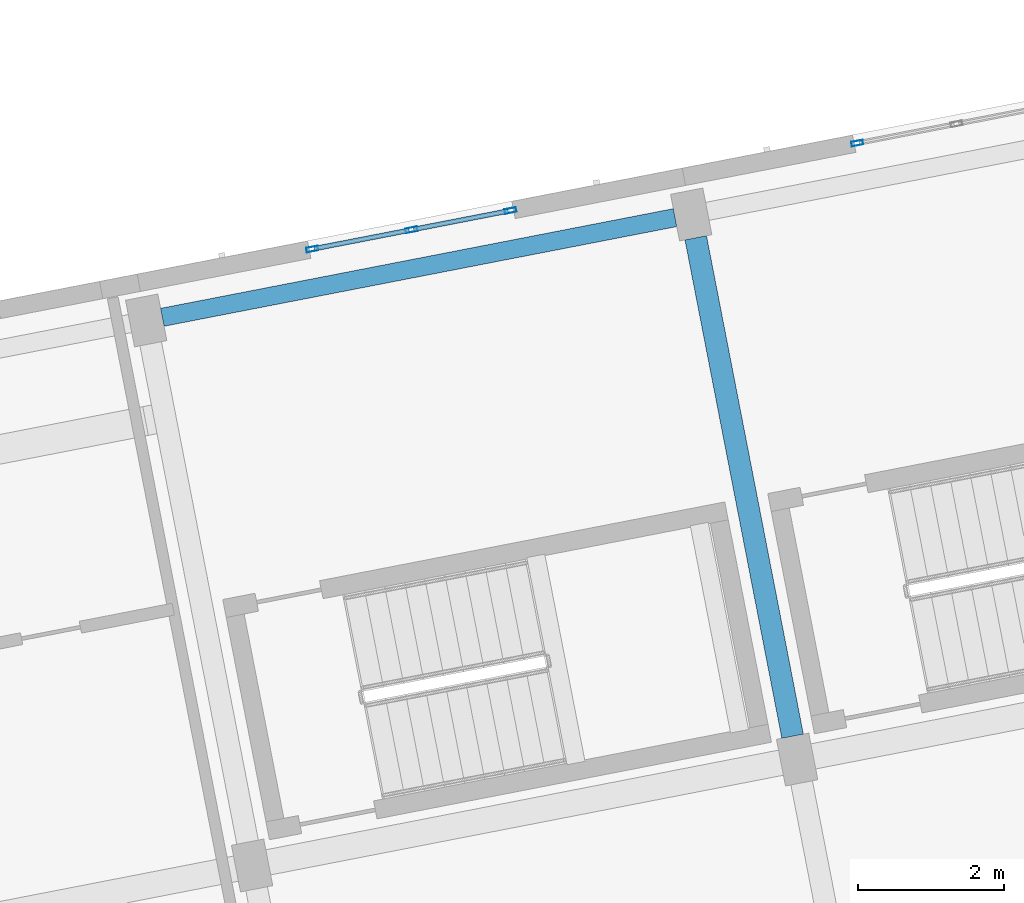
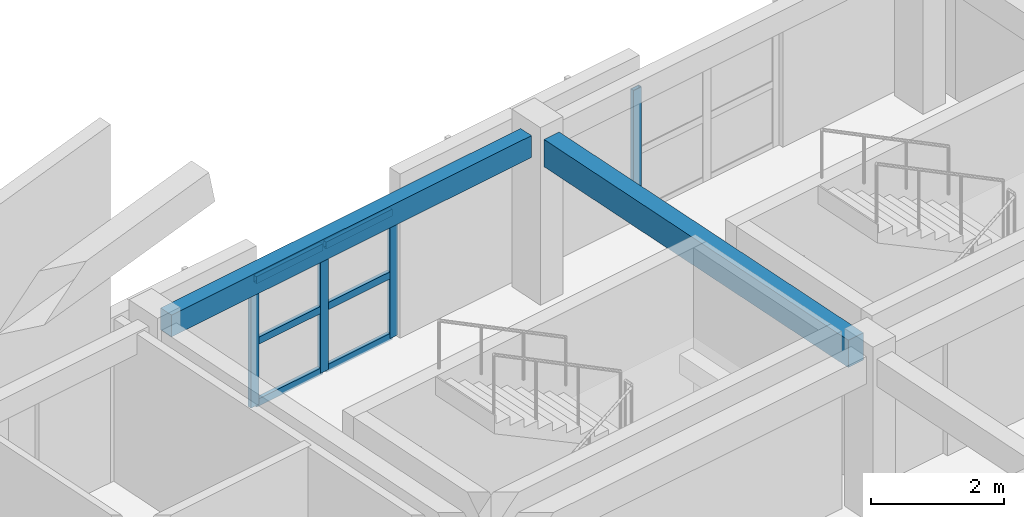
# One storey, part 10 of 64: 10 members, 2 beams, 2 elements without a shape of their own.
"""IFC4 building model written with IfcOpenShell, lengths in metres."""

from ifc_helpers import new_model, si_unit, direction, frame, origin, origin_2d, place, context, subcontext, project, spatial, rectangle, hollow_rectangle, extrude, material, material_profile, profile_set, type_object, element, aggregate, save


model = new_model("IFC4")

# Units and contexts
model_context = context("Model", 3, precision=1e-05, world=origin(), true_north=direction((0.0, 1.0)))
body_context = subcontext(model_context, "Body", "Model", "MODEL_VIEW")
ifc_project = project(units=[si_unit("LENGTHUNIT", "METRE"), si_unit("AREAUNIT", "SQUARE_METRE"), si_unit("VOLUMEUNIT", "CUBIC_METRE"), si_unit("PLANEANGLEUNIT", "RADIAN"), si_unit("MASSUNIT", "GRAM", prefix="KILO")], contexts=[model_context])

# Site, building, storey
site_placement = place(None, origin())
site = spatial("IfcSite", under=ifc_project, at=site_placement, CompositionType="ELEMENT")
building_placement = place(site_placement, origin())
building = spatial("IfcBuilding", under=site, at=building_placement, Name="Kestramere Prow Commons", CompositionType="ELEMENT")
storey_placement = place(building_placement, frame((0.0, 0.0, 24.64990234375)))
storey = spatial("IfcBuildingStorey", under=building, at=storey_placement, Name="L07", CompositionType="ELEMENT", Elevation=24.64990234375)

# Beam
ifc_material_1 = material(Name="Precast concrete C40/50", Category="concrete")
ifc_material_profile_1 = material_profile(ifc_material_1, rectangle(XDim=0.300048828125, YDim=0.5, at=origin_2d()), Name="PC-BM 300x500")
ifc_profile_set_1 = profile_set([ifc_material_profile_1], Name="Precast concrete C40/50")
beam_type_1 = type_object("IfcBeamType", Name="BM-TIE-01 PC-BM 300x500", PredefinedType="BEAM", material=ifc_profile_set_1)
beam_1_placement = place(storey_placement, frame((145.8896484375, 51.899169921875, 2.75), z_axis=(-0.190783155939, 0.981632205773, 0.0), x_axis=(-0.981632205773, -0.190783155939, 0.0)))
element("IfcBeam", 1, at=beam_1_placement, inside=storey, type_object=beam_type_1, Name="Block D L07 Transverse Beam 5-3", PredefinedType="BEAM", context=body_context, shape_type="SweptSolid", body=[
    extrude(rectangle(XDim=0.300048828125, YDim=0.5, at=origin_2d()), origin(), (0.0, 0.0, 1.0), 6.949951171875),
])

# Curtain wall, members
ifc_material_2 = material(Name="Anodised Aluminium and Low-E Glass", Category="aluminium")
curtain_wall_type = type_object("IfcCurtainWallType", Name="CW-03 Glazed Curtain Wall 2830x2320", PredefinedType="USERDEFINED", material=ifc_material_2)
curtain_wall_1_placement = place(storey_placement, origin())
curtain_wall_1 = element("IfcCurtainWall", 2, at=curtain_wall_1_placement, inside=storey, type_object=curtain_wall_type, Name="Block D L07 Stairwell Vertical Glazing 4", ObjectType="GLAZED CURTAIN WALL", PredefinedType="USERDEFINED")
ifc_material_3 = material(Name="Anodised Aluminium 6063-T6", Category="aluminium")
ifc_material_profile_2 = material_profile(ifc_material_3, hollow_rectangle(XDim=0.06494140625, YDim=0.159912109375, WallThickness=0.00390625, at=origin_2d()), Name="ALU-MUL 65x160")
ifc_profile_set_2 = profile_set([ifc_material_profile_2], Name="Anodised Aluminium 6063-T6")
member_type_1 = type_object("IfcMemberType", Name="CW-MUL-65x160", PredefinedType="MULLION", material=ifc_profile_set_2)
member_1_placement = place(storey_placement, frame((139.314208984375, 58.56689453125, 0.0), z_axis=(0.0, 0.0, 1.0), x_axis=(-0.190808835118, 0.981627214599, 0.0)))
member_1 = element("IfcMember", 3, at=member_1_placement, type_object=member_type_1, Name="CW-03 mullion 1", PredefinedType="MULLION", context=body_context, shape_type="SweptSolid", body=[
    extrude(hollow_rectangle(XDim=0.06494140625, YDim=0.159912109375, WallThickness=0.00390625, at=origin_2d()), origin(), (0.0, 0.0, 1.0), 2.320068359375),
])
member_2_placement = place(storey_placement, frame((140.671142578125, 58.830810546875, 0.0), z_axis=(0.0, 0.0, 1.0), x_axis=(-0.190808835118, 0.981627214599, 0.0)))
member_2 = element("IfcMember", 4, at=member_2_placement, type_object=member_type_1, Name="CW-03 mullion 2", PredefinedType="MULLION", context=body_context, shape_type="SweptSolid", body=[
    extrude(hollow_rectangle(XDim=0.06494140625, YDim=0.159912109375, WallThickness=0.00390625, at=origin_2d()), origin(), (0.0, 0.0, 1.0), 2.320068359375),
])
member_3_placement = place(storey_placement, frame((142.0283203125, 59.094482421875, 0.0), z_axis=(0.0, 0.0, 1.0), x_axis=(-0.190808835118, 0.981627214599, 0.0)))
member_3 = element("IfcMember", 5, at=member_3_placement, type_object=member_type_1, Name="CW-03 mullion 3", PredefinedType="MULLION", context=body_context, shape_type="SweptSolid", body=[
    extrude(hollow_rectangle(XDim=0.06494140625, YDim=0.159912109375, WallThickness=0.00390625, at=origin_2d()), origin(), (0.0, 0.0, 1.0), 2.320068359375),
])

# Curtain wall, member
curtain_wall_2_placement = place(storey_placement, origin())
curtain_wall_2 = element("IfcCurtainWall", 6, at=curtain_wall_2_placement, inside=storey, type_object=curtain_wall_type, Name="Block D L07 Stairwell Vertical Glazing 5", ObjectType="GLAZED CURTAIN WALL", PredefinedType="USERDEFINED")
member_4_placement = place(storey_placement, frame((146.7744140625, 60.01708984375, 0.0), z_axis=(0.0, 0.0, 1.0), x_axis=(-0.190808835118, 0.981627214599, 0.0)))
member_4 = element("IfcMember", 7, at=member_4_placement, type_object=member_type_1, Name="CW-03 mullion 1", PredefinedType="MULLION", context=body_context, shape_type="SweptSolid", body=[
    extrude(hollow_rectangle(XDim=0.06494140625, YDim=0.159912109375, WallThickness=0.00390625, at=origin_2d()), origin(), (0.0, 0.0, 1.0), 2.320068359375),
])
aggregate(curtain_wall_2, [member_4])

# Member
ifc_material_profile_3 = material_profile(ifc_material_3, hollow_rectangle(XDim=0.06494140625, YDim=0.1298828125, WallThickness=0.00390625, at=origin_2d()), Name="ALU-TRN 65x130")
ifc_profile_set_3 = profile_set([ifc_material_profile_3], Name="Anodised Aluminium 6063-T6")
member_type_2 = type_object("IfcMemberType", Name="CW-TRN-65x130", PredefinedType="USERDEFINED", material=ifc_profile_set_3)
member_5_placement = place(storey_placement, frame((139.345947265625, 58.5732421875, 0.03271484375), z_axis=(0.981655869186, 0.190661360776, 0.0), x_axis=(-0.190661360776, 0.981655869186, 0.0)))
member_5 = element("IfcMember", 8, at=member_5_placement, type_object=member_type_2, Name="CW-03 transom 1.1", ObjectType="TRANSOM", PredefinedType="USERDEFINED", context=body_context, shape_type="SweptSolid", body=[
    extrude(hollow_rectangle(XDim=0.06494140625, YDim=0.1298828125, WallThickness=0.00390625, at=origin_2d()), origin(), (0.0, 0.0, 1.0), 1.317626953125),
])

member_6_placement = place(storey_placement, frame((139.345947265625, 58.5732421875, 1.16015625), z_axis=(0.981655869186, 0.190661360776, 0.0), x_axis=(-0.190661360776, 0.981655869186, 0.0)))
member_6 = element("IfcMember", 9, at=member_6_placement, type_object=member_type_2, Name="CW-03 transom 1.2", ObjectType="TRANSOM", PredefinedType="USERDEFINED", context=body_context, shape_type="SweptSolid", body=[
    extrude(hollow_rectangle(XDim=0.06494140625, YDim=0.1298828125, WallThickness=0.00390625, at=origin_2d()), origin(), (0.0, 0.0, 1.0), 1.317626953125),
])

member_7_placement = place(storey_placement, frame((139.345947265625, 58.5732421875, 2.28759765625), z_axis=(0.981655869186, 0.190661360776, 0.0), x_axis=(-0.190661360776, 0.981655869186, 0.0)))
member_7 = element("IfcMember", 10, at=member_7_placement, type_object=member_type_2, Name="CW-03 transom 1.3", ObjectType="TRANSOM", PredefinedType="USERDEFINED", context=body_context, shape_type="SweptSolid", body=[
    extrude(hollow_rectangle(XDim=0.06494140625, YDim=0.1298828125, WallThickness=0.00390625, at=origin_2d()), origin(), (0.0, 0.0, 1.0), 1.317626953125),
])

member_8_placement = place(storey_placement, frame((140.703125, 58.8369140625, 0.03271484375), z_axis=(0.981614425191, 0.190874619208, 0.0), x_axis=(-0.190874619208, 0.981614425191, 0.0)))
member_8 = element("IfcMember", 11, at=member_8_placement, type_object=member_type_2, Name="CW-03 transom 2.1", ObjectType="TRANSOM", PredefinedType="USERDEFINED", context=body_context, shape_type="SweptSolid", body=[
    extrude(hollow_rectangle(XDim=0.06494140625, YDim=0.1298828125, WallThickness=0.00390625, at=origin_2d()), origin(), (0.0, 0.0, 1.0), 1.3173828125),
])

member_9_placement = place(storey_placement, frame((140.703125, 58.8369140625, 1.16015625), z_axis=(0.981614425191, 0.190874619208, 0.0), x_axis=(-0.190874619208, 0.981614425191, 0.0)))
member_9 = element("IfcMember", 12, at=member_9_placement, type_object=member_type_2, Name="CW-03 transom 2.2", ObjectType="TRANSOM", PredefinedType="USERDEFINED", context=body_context, shape_type="SweptSolid", body=[
    extrude(hollow_rectangle(XDim=0.06494140625, YDim=0.1298828125, WallThickness=0.00390625, at=origin_2d()), origin(), (0.0, 0.0, 1.0), 1.3173828125),
])

member_10_placement = place(storey_placement, frame((140.703125, 58.8369140625, 2.28759765625), z_axis=(0.981614425191, 0.190874619208, 0.0), x_axis=(-0.190874619208, 0.981614425191, 0.0)))
member_10 = element("IfcMember", 13, at=member_10_placement, type_object=member_type_2, Name="CW-03 transom 2.3", ObjectType="TRANSOM", PredefinedType="USERDEFINED", context=body_context, shape_type="SweptSolid", body=[
    extrude(hollow_rectangle(XDim=0.06494140625, YDim=0.1298828125, WallThickness=0.00390625, at=origin_2d()), origin(), (0.0, 0.0, 1.0), 1.3173828125),
])

aggregate(curtain_wall_1, [member_1, member_2, member_3, member_5, member_6, member_7, member_8, member_9, member_10])

# Beam
ifc_material_profile_4 = material_profile(ifc_material_1, rectangle(XDim=0.25, YDim=0.39990234375, at=origin_2d()), Name="PC-SP 250x400")
ifc_profile_set_4 = profile_set([ifc_material_profile_4], Name="Precast concrete C40/50")
beam_type_2 = type_object("IfcBeamType", Name="SP-EXT-01 PC-SP 250x400", PredefinedType="SPANDREL", material=ifc_profile_set_4)
beam_2_placement = place(storey_placement, frame((137.26220703125, 57.63330078125, 2.800048828125), z_axis=(0.981627472063, 0.190807510571, 0.0), x_axis=(-0.190807510571, 0.981627472063, 0.0)))
element("IfcBeam", 14, at=beam_2_placement, inside=storey, type_object=beam_type_2, Name="Block D L07 Longitudinal Beam 4-4", PredefinedType="SPANDREL", context=body_context, shape_type="SweptSolid", body=[
    extrude(rectangle(XDim=0.25, YDim=0.39990234375, at=origin_2d()), origin(), (0.0, 0.0, 1.0), 7.14990234375),
])

save(model, "model.ifc")
